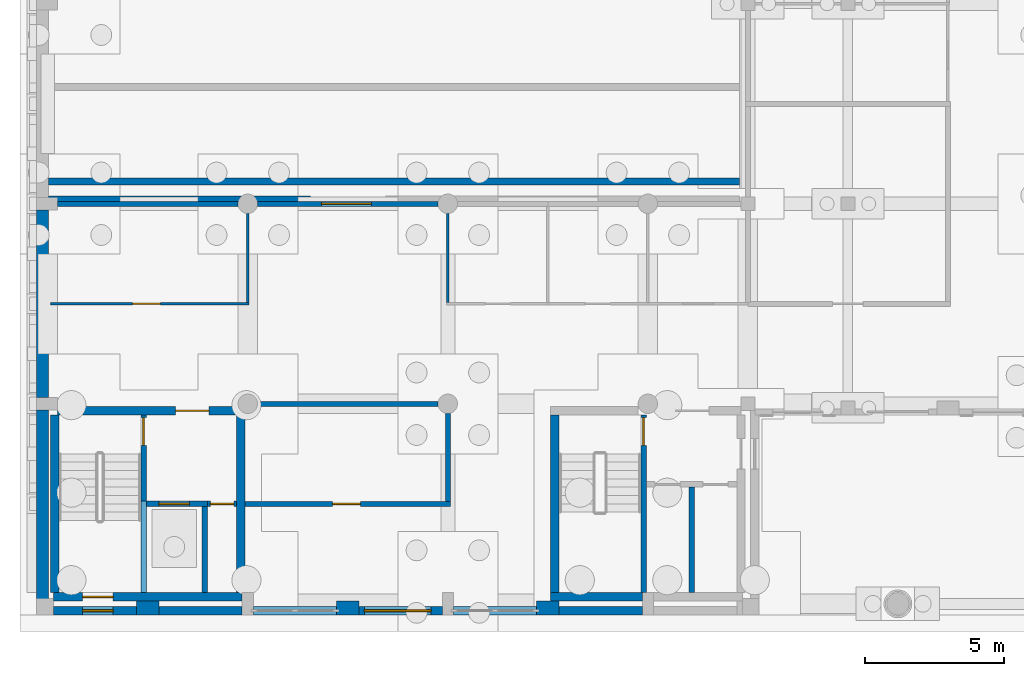
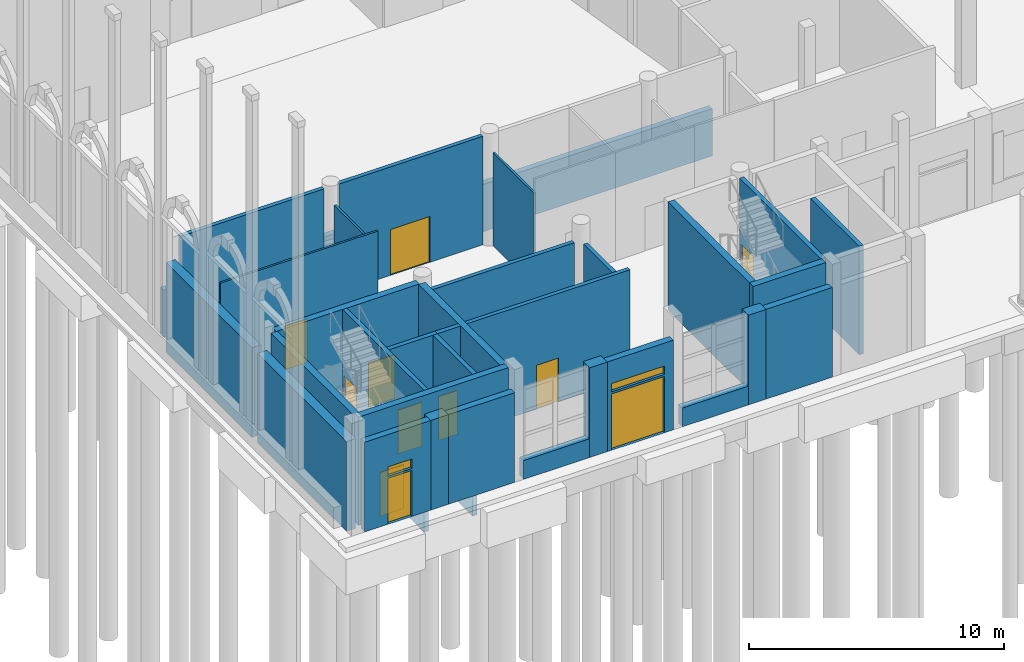
# One storey, part 40 of 80: 34 walls, 11 doors, 2 windows, 13 openings.
"""IFC4 building model written with IfcOpenShell, lengths in metres."""

import ifcopenshell
import ifcopenshell.guid

model = None  # the IFC model being written
_history = None  # IfcOwnerHistory: only IFC2X3 demands one
_inside = {}  # id of a spatial element -> (the spatial element, [elements in it])
_under = {}  # id of a project, library or spatial element -> (it, [spatial elements below it])
_declared = {}  # id of a project -> (the project, [libraries it declares])
_typed = {}  # id of a type object -> (the type object, [elements of that type])
_made_of = {}  # id of a material, layer set ... -> (it, [elements and type objects made of it])


def new_model(schema):
    """Start an empty IFC model of exactly this schema.

    Asked for "IFC4X3", IfcOpenShell would pick the latest addendum, in which some entities
    have other attributes; the version numbers below select the first issue.
    IFC2X3 requires an IfcOwnerHistory on every rooted entity: one is made here for all.
    """
    global model, _history
    if schema == "IFC4X3":
        model = ifcopenshell.file(schema_version=(4, 3, 0, 0))
    else:
        model = ifcopenshell.file(schema=schema)
    _inside.clear()
    _under.clear()
    _declared.clear()
    _typed.clear()
    _made_of.clear()
    _history = None
    if model.schema == "IFC2X3":
        org = make("IfcOrganization", Name="unknown")
        user = make(
            "IfcPersonAndOrganization",
            ThePerson=make("IfcPerson", FamilyName="unknown"),
            TheOrganization=org,
        )
        app = make(
            "IfcApplication",
            ApplicationDeveloper=org,
            Version="unknown",
            ApplicationFullName="unknown",
            ApplicationIdentifier="unknown",
        )
        _history = make(
            "IfcOwnerHistory",
            OwningUser=user,
            OwningApplication=app,
            ChangeAction="ADDED",
            CreationDate=0,
        )
    return model


def make(cls, **values):
    """One entity of the class cls with the attributes given. An attribute that is None is left unset."""
    return model.create_entity(
        cls, **{name: value for name, value in values.items() if value is not None}
    )


def rooted(cls, **values):
    """An entity with a GlobalId (a new one), such as an element, a storey or a relation."""
    return make(cls, GlobalId=ifcopenshell.guid.new(), OwnerHistory=_history, **values)


def si_unit(unit_type, name, prefix=None):
    """IfcSIUnit, for example si_unit("LENGTHUNIT", "METRE", prefix="MILLI")."""
    return make("IfcSIUnit", UnitType=unit_type, Prefix=prefix, Name=name)


def assignment(units):
    """IfcUnitAssignment: the units of a project."""
    return None if units is None else make("IfcUnitAssignment", Units=units)


def point(xyz):
    """IfcCartesianPoint."""
    return None if xyz is None else make("IfcCartesianPoint", Coordinates=xyz)


def direction(xyz):
    """IfcDirection."""
    return None if xyz is None else make("IfcDirection", DirectionRatios=xyz)


def frame(location, z_axis=None, x_axis=None):
    """IfcAxis2Placement3D, a coordinate frame: its origin and axes. An axis left out is left unset."""
    return make(
        "IfcAxis2Placement3D",
        Location=point(location),
        Axis=direction(z_axis),
        RefDirection=direction(x_axis),
    )


def frame_2d(location, x_axis=None):
    """IfcAxis2Placement2D, a coordinate frame in the plane: its origin and x axis."""
    return make(
        "IfcAxis2Placement2D", Location=point(location), RefDirection=direction(x_axis)
    )


def origin():
    """The frame at (0, 0, 0) with its axes left unset."""
    return frame((0.0, 0.0, 0.0))


def place(relative_to, where):
    """IfcLocalPlacement: puts the frame where relative to a parent placement (None: the world)."""
    return make(
        "IfcLocalPlacement", PlacementRelTo=relative_to, RelativePlacement=where
    )


def context(
    kind, dimensions, precision=None, world=None, true_north=None, identifier=None
):
    """IfcGeometricRepresentationContext, for example the 3D "Model" context."""
    return make(
        "IfcGeometricRepresentationContext",
        ContextIdentifier=identifier,
        ContextType=kind,
        CoordinateSpaceDimension=dimensions,
        Precision=precision,
        WorldCoordinateSystem=world,
        TrueNorth=true_north,
    )


def subcontext(parent, identifier, kind, view, scale=None):
    """IfcGeometricRepresentationSubContext, for example "Body" below "Model"."""
    return make(
        "IfcGeometricRepresentationSubContext",
        ContextIdentifier=identifier,
        ContextType=kind,
        ParentContext=parent,
        TargetScale=scale,
        TargetView=view,
    )


def project(units=None, contexts=None):
    """IfcProject with its units and contexts."""
    return rooted(
        "IfcProject",
        Name="project",
        RepresentationContexts=contexts,
        UnitsInContext=assignment(units),
    )


def spatial(cls, under=None, at=None, **own):
    """A site, building, storey or space (cls), placed at a placement, below another one or the project."""
    s = rooted(cls, ObjectPlacement=at, **own)
    if under is not None:
        _under.setdefault(under.id(), (under, []))[1].append(s)
    return s


def profile(cls, at=None, kind="AREA", **sizes):
    """A parametric profile (cls). Its sizes go by their IFC names, for example OverallWidth=200.0."""
    return make(cls, ProfileType=kind, Position=at, **sizes)


def rectangle(**sizes):
    """IfcRectangleProfileDef."""
    return profile("IfcRectangleProfileDef", **sizes)


def extrude(swept, where, along, depth):
    """IfcExtrudedAreaSolid: the profile swept, set in the frame where, extruded along a direction by depth."""
    return make(
        "IfcExtrudedAreaSolid",
        SweptArea=swept,
        Position=where,
        ExtrudedDirection=direction(along),
        Depth=depth,
    )


def shape(context_of_items, identifier, shape_type, items):
    """IfcShapeRepresentation: the items that make up one representation, for example the "Body"."""
    return make(
        "IfcShapeRepresentation",
        ContextOfItems=context_of_items,
        RepresentationIdentifier=identifier,
        RepresentationType=shape_type,
        Items=items,
    )


def material(Name=None, Category=None):
    """IfcMaterial."""
    return make("IfcMaterial", Name=Name, Category=Category)


def layer(
    of_material, thickness, ventilated=None, Name=None, Category=None, Priority=None
):
    """IfcMaterialLayer: one layer of a wall or slab, of a material (None: an air gap)."""
    return make(
        "IfcMaterialLayer",
        Material=of_material,
        LayerThickness=thickness,
        IsVentilated=ventilated,
        Name=Name,
        Category=Category,
        Priority=Priority,
    )


def layer_set(layers, Name=None):
    """IfcMaterialLayerSet."""
    return make("IfcMaterialLayerSet", MaterialLayers=layers, LayerSetName=Name)


def made_of(thing, what):
    """Note that an element or type object is made of a material, layer set ...; save() writes the relation."""
    if what is not None:
        _made_of.setdefault(what.id(), (what, []))[1].append(thing)
    return thing


def type_object(cls, material=None, **own):
    """A type object (cls), such as IfcWallType, which elements share."""
    return made_of(rooted(cls, **own), material)


def element(
    cls,
    number,
    at=None,
    inside=None,
    cuts=None,
    type_object=None,
    material=None,
    context=None,
    identifier="Body",
    shape_type=None,
    held_by="IfcProductDefinitionShape",
    body=None,
    shapes=None,
    **own,
):
    """One element of the class cls, such as IfcWall. Its Tag is "e" and its number.

    at: its placement. inside: the storey or other place that contains it. cuts: it is an
    opening in that element (IfcRelVoidsElement). A single representation is given by context,
    identifier, shape_type and body (its items); several are given by shapes. held_by: the class
    of the entity that holds the representations. save() writes the other relations.
    """
    e = rooted(cls, Tag="e%d" % number, ObjectPlacement=at, **own)
    if body is not None:
        shapes = [shape(context, identifier, shape_type, body)]
    if shapes is not None:
        e.Representation = make(held_by, Representations=shapes)
    if inside is not None:
        _inside.setdefault(inside.id(), (inside, []))[1].append(e)
    if cuts is not None:
        rooted(
            "IfcRelVoidsElement", RelatingBuildingElement=cuts, RelatedOpeningElement=e
        )
    if type_object is not None:
        _typed.setdefault(type_object.id(), (type_object, []))[1].append(e)
    return made_of(e, material)


def fill(opening, filler):
    """IfcRelFillsElement: the door or window that sits in an opening."""
    return rooted(
        "IfcRelFillsElement",
        RelatingOpeningElement=opening,
        RelatedBuildingElement=filler,
    )


def aggregate(whole, parts):
    """IfcRelAggregates: a whole, such as a stair, and the parts it consists of."""
    return rooted("IfcRelAggregates", RelatingObject=whole, RelatedObjects=parts)


def save(model, path):
    """Write the relations noted so far, then the file.

    IfcRelAggregates (storeys below a building ...), IfcRelContainedInSpatialStructure (elements
    in a storey), IfcRelDefinesByType, IfcRelAssociatesMaterial and IfcRelDeclares: one each for
    every whole, place, type object, material and project.
    """
    for whole, parts in _under.values():
        aggregate(whole, parts)
    for where, things in _inside.values():
        rooted(
            "IfcRelContainedInSpatialStructure",
            RelatedElements=things,
            RelatingStructure=where,
        )
    for kind, things in _typed.values():
        rooted("IfcRelDefinesByType", RelatedObjects=things, RelatingType=kind)
    for what, things in _made_of.values():
        rooted("IfcRelAssociatesMaterial", RelatedObjects=things, RelatingMaterial=what)
    for by, libraries in _declared.values():
        rooted("IfcRelDeclares", RelatingContext=by, RelatedDefinitions=libraries)
    model.write(path)


model = new_model("IFC4")

# Units and contexts
model_context = context("Model", 3, precision=1e-05, world=origin(), true_north=direction((0.0, 1.0)))
body_context = subcontext(model_context, "Body", "Model", "MODEL_VIEW")
ifc_project = project(units=[si_unit("LENGTHUNIT", "METRE"), si_unit("AREAUNIT", "SQUARE_METRE"), si_unit("VOLUMEUNIT", "CUBIC_METRE"), si_unit("PLANEANGLEUNIT", "RADIAN"), si_unit("MASSUNIT", "GRAM", prefix="KILO")], contexts=[model_context])

# Site, building, storey
site_placement = place(None, origin())
site = spatial("IfcSite", under=ifc_project, at=site_placement, CompositionType="ELEMENT")
building_placement = place(site_placement, origin())
building = spatial("IfcBuilding", under=site, at=building_placement, Name="Ussher Court Research Institute", CompositionType="ELEMENT")
storey_placement = place(building_placement, origin())
storey = spatial("IfcBuildingStorey", under=building, at=storey_placement, Name="L00", CompositionType="ELEMENT", Elevation=0.0)

# Wall, opening, door
ifc_material_1 = material(Name="Plasterboard on steel studs with mineral wool", Category="steel")
ifc_layer_1 = layer(ifc_material_1, 0.179931640625)
ifc_layer_set_1 = layer_set([ifc_layer_1], Name="Plasterboard on steel studs with mineral wool")
wall_type_1 = type_object("IfcWallType", Name="Acoustic twin-stud partition 180", PredefinedType="PARTITIONING", material=ifc_layer_set_1)
wall_1_placement = place(storey_placement, frame((10.10009765625, 7.60009765625, 0.0), z_axis=(0.0, 0.0, 1.0), x_axis=(1.0, 0.0, 0.0)))
wall_1 = element("IfcWall", 1, at=wall_1_placement, inside=storey, type_object=wall_type_1, Name="Partition", PredefinedType="PARTITIONING", context=body_context, shape_type="SweptSolid", body=[
    extrude(rectangle(XDim=7.389892578125, YDim=0.179931640625, at=frame_2d((3.69482421875, 0.0))), origin(), (0.0, 0.0, 1.0), 5.199951171875),
])
opening_1_placement = place(wall_1_placement, frame((3.14990234375, 0.0, 0.0)))
opening_1 = element("IfcOpeningElement", 2, at=opening_1_placement, cuts=wall_1, Name="Opening D00012", PredefinedType="OPENING", context=body_context, shape_type="SweptSolid", body=[
    extrude(rectangle(XDim=1.0, YDim=2.10009765625, at=frame_2d((0.5, 1.050048828125))), frame((0.0, 0.10009765625, 0.0), z_axis=(0.0, -1.0, 0.0), x_axis=(1.0, 0.0, 0.0)), (0.0, 0.0, 1.0), 0.199951171875),
])
ifc_material_2 = material(Name="Veneered timber door", Category="wood")
door_type_1 = type_object("IfcDoorType", Name="Control room door 1000x2100", OperationType="NOTDEFINED", PredefinedType="DOOR", material=ifc_material_2)
door_1_placement = place(opening_1_placement, origin())
door_1 = element("IfcDoor", 3, at=door_1_placement, inside=storey, type_object=door_type_1, Name="Door D00012", OperationType="SINGLE_SWING_LEFT", OverallHeight=2.10009765625, OverallWidth=1.0, PredefinedType="DOOR", context=body_context, shape_type="SweptSolid", body=[
    extrude(rectangle(XDim=1.0, YDim=2.10009765625, at=frame_2d((0.5, 1.050048828125))), frame((0.0, 0.02490234375, 0.0), z_axis=(0.0, -1.0, 0.0), x_axis=(1.0, 0.0, 0.0)), (0.0, 0.0, 1.0), 0.050048828125),
])
fill(opening_1, door_1)

# Walls
wall_2_placement = place(storey_placement, frame((10.550048828125, 11.199951171875, 0.0), z_axis=(0.0, 0.0, 1.0), x_axis=(1.0, 0.0, 0.0)))
element("IfcWall", 4, at=wall_2_placement, inside=storey, type_object=wall_type_1, Name="Partition", PredefinedType="PARTITIONING", context=body_context, shape_type="SweptSolid", body=[
    extrude(rectangle(XDim=6.5, YDim=0.179931640625, at=frame_2d((3.25, 0.0))), origin(), (0.0, 0.0, 1.0), 4.469970703125),
])
wall_3_placement = place(storey_placement, frame((3.35009765625, 18.39990234375, 0.0), z_axis=(0.0, 0.0, 1.0), x_axis=(1.0, 0.0, 0.0)))
element("IfcWall", 5, at=wall_3_placement, inside=storey, type_object=wall_type_1, Name="Partition", PredefinedType="PARTITIONING", context=body_context, shape_type="SweptSolid", body=[
    extrude(rectangle(XDim=6.5, YDim=0.179931640625, at=frame_2d((3.25, 0.0))), origin(), (0.0, 0.0, 1.0), 5.199951171875),
])

# Wall, opening, door
wall_4_placement = place(storey_placement, frame((17.050048828125, 18.39990234375, 0.0), z_axis=(0.0, 0.0, 1.0), x_axis=(-1.0, 0.0, 0.0)))
wall_4 = element("IfcWall", 6, at=wall_4_placement, inside=storey, type_object=wall_type_1, Name="Partition", PredefinedType="PARTITIONING", context=body_context, shape_type="SweptSolid", body=[
    extrude(rectangle(XDim=6.5, YDim=0.179931640625, at=frame_2d((3.25, 0.0))), origin(), (0.0, 0.0, 1.0), 5.199951171875),
])
opening_2_placement = place(wall_4_placement, frame((2.39990234375, 0.0, 0.0)))
opening_2 = element("IfcOpeningElement", 7, at=opening_2_placement, cuts=wall_4, Name="Opening D00013", PredefinedType="OPENING", context=body_context, shape_type="SweptSolid", body=[
    extrude(rectangle(XDim=1.800048828125, YDim=2.199951171875, at=frame_2d((0.89990234375, 1.10009765625))), frame((0.0, 0.10009765625, 0.0), z_axis=(0.0, -1.0, 0.0), x_axis=(1.0, 0.0, 0.0)), (0.0, 0.0, 1.0), 0.199951171875),
])
ifc_material_3 = material(Name="Veneered timber door", Category="wood")
door_type_2 = type_object("IfcDoorType", Name="Lecture theatre door 1800x2200 double leaf", OperationType="DOUBLE_DOOR_SINGLE_SWING", PredefinedType="DOOR", material=ifc_material_3)
door_2_placement = place(opening_2_placement, origin())
door_2 = element("IfcDoor", 8, at=door_2_placement, inside=storey, type_object=door_type_2, Name="Door D00013", OperationType="SINGLE_SWING_LEFT", OverallHeight=2.199951171875, OverallWidth=1.800048828125, PredefinedType="DOOR", context=body_context, shape_type="SweptSolid", body=[
    extrude(rectangle(XDim=1.800048828125, YDim=2.199951171875, at=frame_2d((0.89990234375, 1.10009765625))), frame((0.0, 0.02490234375, 0.0), z_axis=(0.0, -1.0, 0.0), x_axis=(1.0, 0.0, 0.0)), (0.0, 0.0, 1.0), 0.050048828125),
])
fill(opening_2, door_2)

# Walls
wall_5_placement = place(storey_placement, frame((17.39990234375, 7.68994140625, 0.0), z_axis=(0.0, 0.0, 1.0), x_axis=(0.0, 1.0, 0.0)))
element("IfcWall", 9, at=wall_5_placement, inside=storey, type_object=wall_type_1, Name="Partition", PredefinedType="PARTITIONING", context=body_context, shape_type="SweptSolid", body=[
    extrude(rectangle(XDim=3.16015625, YDim=0.179931640625, at=frame_2d((1.580078125, 0.0))), origin(), (0.0, 0.0, 1.0), 4.469970703125),
])
ifc_material_4 = material(Name="Concrete C35/45", Category="concrete")
ifc_layer_2 = layer(ifc_material_4, 0.419921875)
ifc_layer_set_2 = layer_set([ifc_layer_2], Name="Concrete C35/45")
wall_type_2 = type_object("IfcWallType", Name="Blind west wall 420 reinforced concrete limestone faced", PredefinedType="SOLIDWALL", material=ifc_layer_set_2)
wall_6_placement = place(storey_placement, frame((2.81005859375, 4.0, 0.0), z_axis=(0.0, 0.0, 1.0), x_axis=(0.0, 1.0, 0.0)))
element("IfcWall", 10, at=wall_6_placement, inside=storey, type_object=wall_type_2, Name="RC wall RW2 west", PredefinedType="SOLIDWALL", context=body_context, shape_type="SweptSolid", body=[
    extrude(rectangle(XDim=6.97509765625, YDim=0.419921875, at=frame_2d((3.487548828125, 0.0))), origin(), (0.0, 0.0, 1.0), 4.300048828125),
])
wall_7_placement = place(storey_placement, frame((2.81005859375, 11.425048828125, 0.0), z_axis=(0.0, 0.0, 1.0), x_axis=(0.0, 1.0, 0.0)))
element("IfcWall", 11, at=wall_7_placement, inside=storey, type_object=wall_type_2, Name="RC wall RW2 west", PredefinedType="SOLIDWALL", context=body_context, shape_type="SweptSolid", body=[
    extrude(rectangle(XDim=6.75, YDim=0.419921875, at=frame_2d((3.375, 0.0))), origin(), (0.0, 0.0, 1.0), 4.300048828125),
])
ifc_material_5 = material(Name="Limestone facing on blockwork", Category="masonry")
ifc_layer_3 = layer(ifc_material_5, 0.300048828125)
ifc_layer_set_3 = layer_set([ifc_layer_3], Name="Limestone facing on blockwork")
wall_type_3 = type_object("IfcWallType", Name="External wall 300 limestone faced", PredefinedType="SOLIDWALL", material=ifc_layer_set_3)
wall_8_placement = place(storey_placement, frame((20.60009765625, 3.75, 0.0), z_axis=(0.0, 0.0, 1.0), x_axis=(-1.0, 0.0, 0.0)))
element("IfcWall", 12, at=wall_8_placement, inside=storey, type_object=wall_type_3, Name="Plinth wall EW2 L00", PredefinedType="SOLIDWALL", context=body_context, shape_type="SweptSolid", body=[
    extrude(rectangle(XDim=3.0, YDim=0.300048828125, at=frame_2d((1.5, 0.0))), origin(), (0.0, 0.0, 1.0), 0.89990234375),
])

# Wall, openings, door, window
wall_9_placement = place(storey_placement, frame((17.199951171875, 3.75, 0.0), z_axis=(0.0, 0.0, 1.0), x_axis=(-1.0, 0.0, 0.0)))
wall_9 = element("IfcWall", 13, at=wall_9_placement, inside=storey, type_object=wall_type_3, Name="External wall EW2 L00", PredefinedType="SOLIDWALL", context=body_context, shape_type="SweptSolid", body=[
    extrude(rectangle(XDim=3.0, YDim=0.300048828125, at=frame_2d((1.5, 0.0))), origin(), (0.0, 0.0, 1.0), 4.300048828125),
])
opening_3_placement = place(wall_9_placement, frame((0.39990234375, 0.0, 0.0)))
opening_3 = element("IfcOpeningElement", 14, at=opening_3_placement, cuts=wall_9, Name="Opening DX05", PredefinedType="OPENING", context=body_context, shape_type="SweptSolid", body=[
    extrude(rectangle(XDim=2.39990234375, YDim=2.699951171875, at=frame_2d((1.199951171875, 1.35009765625))), frame((0.0, 0.16015625, 0.0), z_axis=(0.0, -1.0, 0.0), x_axis=(1.0, 0.0, 0.0)), (0.0, 0.0, 1.0), 0.320068359375),
])
opening_4_placement = place(wall_9_placement, frame((0.39990234375, 0.0, 2.800048828125)))
opening_4 = element("IfcOpeningElement", 15, at=opening_4_placement, cuts=wall_9, Name="Opening W23", PredefinedType="OPENING", context=body_context, shape_type="SweptSolid", body=[
    extrude(rectangle(XDim=2.39990234375, YDim=0.39990234375, at=frame_2d((1.199951171875, 0.199951171875))), frame((0.0, 0.16015625, 0.0), z_axis=(0.0, -1.0, 0.0), x_axis=(1.0, 0.0, 0.0)), (0.0, 0.0, 1.0), 0.320068359375),
])
ifc_material_6 = material(Name="Bronze anodised aluminium with toughened glass", Category="aluminium")
door_type_3 = type_object("IfcDoorType", Name="Lecture theatre entrance double door 2400x2700", OperationType="DOUBLE_DOOR_SINGLE_SWING", PredefinedType="DOOR", material=ifc_material_6)
door_3_placement = place(opening_3_placement, origin())
door_3 = element("IfcDoor", 16, at=door_3_placement, inside=storey, type_object=door_type_3, Name="Door DX05", OperationType="SINGLE_SWING_LEFT", OverallHeight=2.699951171875, OverallWidth=2.39990234375, PredefinedType="DOOR", context=body_context, shape_type="SweptSolid", body=[
    extrude(rectangle(XDim=2.39990234375, YDim=2.699951171875, at=frame_2d((1.199951171875, 1.35009765625))), frame((0.0, 0.02490234375, 0.0), z_axis=(0.0, -1.0, 0.0), x_axis=(1.0, 0.0, 0.0)), (0.0, 0.0, 1.0), 0.050048828125),
])
fill(opening_3, door_3)
ifc_material_7 = material(Name="Bronze anodised aluminium with double glazing", Category="aluminium")
window_type_1 = type_object("IfcWindowType", Name="Lecture theatre entrance transom light 2400x400", PartitioningType="SINGLE_PANEL", PredefinedType="WINDOW", material=ifc_material_7)
window_1_placement = place(opening_4_placement, origin())
window_1 = element("IfcWindow", 17, at=window_1_placement, inside=storey, type_object=window_type_1, Name="Window W23 L00", OverallHeight=0.39990234375, OverallWidth=2.39990234375, PartitioningType="SINGLE_PANEL", PredefinedType="WINDOW", context=body_context, shape_type="SweptSolid", body=[
    extrude(rectangle(XDim=2.39990234375, YDim=0.39990234375, at=frame_2d((1.199951171875, 0.199951171875))), frame((0.0, 0.030029296875, 0.0), z_axis=(0.0, -1.0, 0.0), x_axis=(1.0, 0.0, 0.0)), (0.0, 0.0, 1.0), 0.06005859375),
])
fill(opening_4, window_1)

# Walls
wall_10_placement = place(storey_placement, frame((13.39990234375, 3.75, 0.0), z_axis=(0.0, 0.0, 1.0), x_axis=(-1.0, 0.0, 0.0)))
element("IfcWall", 18, at=wall_10_placement, inside=storey, type_object=wall_type_3, Name="Plinth wall EW2 L00", PredefinedType="SOLIDWALL", context=body_context, shape_type="SweptSolid", body=[
    extrude(rectangle(XDim=3.0, YDim=0.300048828125, at=frame_2d((1.5, 0.0))), origin(), (0.0, 0.0, 1.0), 0.89990234375),
])
ifc_material_8 = material(Name="Limestone facing on blockwork", Category="masonry")
ifc_layer_4 = layer(ifc_material_8, 0.300048828125)
ifc_layer_set_4 = layer_set([ifc_layer_4], Name="Limestone facing on blockwork")
wall_type_4 = type_object("IfcWallType", Name="External wall 300 stair enclosure", PredefinedType="SOLIDWALL", material=ifc_layer_set_4)
for number, where, z_axis, x_axis, name in (
    (19, (24.39990234375, 3.75, 0.0), (0.0, 0.0, 1.0), (-1.0, 0.0, 0.0), "External wall EW5 L00"),
    (20, (10.0, 3.75, 0.0), (0.0, 0.0, 1.0), (-1.0, 0.0, 0.0), "External wall EW5 L00"),
):
    element("IfcWall", number, at=place(storey_placement, frame(where, z_axis=z_axis, x_axis=x_axis)), inside=storey, type_object=wall_type_4, Name=name, PredefinedType="SOLIDWALL", context=body_context, shape_type="SweptSolid", body=[
        extrude(rectangle(XDim=3.0, YDim=0.300048828125, at=frame_2d((1.5, 0.0))), origin(), (0.0, 0.0, 1.0), 4.300048828125),
    ])

# Wall, openings, door, window
wall_11_placement = place(storey_placement, frame((6.199951171875, 3.75, 0.0), z_axis=(0.0, 0.0, 1.0), x_axis=(-1.0, 0.0, 0.0)))
wall_11 = element("IfcWall", 21, at=wall_11_placement, inside=storey, type_object=wall_type_4, Name="External wall EW5 L00", PredefinedType="SOLIDWALL", context=body_context, shape_type="SweptSolid", body=[
    extrude(rectangle(XDim=3.0, YDim=0.300048828125, at=frame_2d((1.5, 0.0))), origin(), (0.0, 0.0, 1.0), 4.300048828125),
])
opening_5_placement = place(wall_11_placement, frame((0.85009765625, 0.0, 0.0)))
opening_5 = element("IfcOpeningElement", 22, at=opening_5_placement, cuts=wall_11, Name="Opening DX04", PredefinedType="OPENING", context=body_context, shape_type="SweptSolid", body=[
    extrude(rectangle(XDim=1.10009765625, YDim=2.199951171875, at=frame_2d((0.550048828125, 1.10009765625))), frame((0.0, 0.16015625, 0.0), z_axis=(0.0, -1.0, 0.0), x_axis=(1.0, 0.0, 0.0)), (0.0, 0.0, 1.0), 0.320068359375),
])
opening_6_placement = place(wall_11_placement, frame((0.85009765625, 0.0, 2.300048828125)))
opening_6 = element("IfcOpeningElement", 23, at=opening_6_placement, cuts=wall_11, Name="Opening W18", PredefinedType="OPENING", context=body_context, shape_type="SweptSolid", body=[
    extrude(rectangle(XDim=1.10009765625, YDim=0.449951171875, at=frame_2d((0.550048828125, 0.22509765625))), frame((0.0, 0.16015625, 0.0), z_axis=(0.0, -1.0, 0.0), x_axis=(1.0, 0.0, 0.0)), (0.0, 0.0, 1.0), 0.320068359375),
])
ifc_material_9 = material(Name="Painted steel", Category="steel")
door_type_4 = type_object("IfcDoorType", Name="Stair discharge door 1100x2200", OperationType="SINGLE_SWING_LEFT", PredefinedType="DOOR", material=ifc_material_9)
door_4_placement = place(opening_5_placement, origin())
door_4 = element("IfcDoor", 24, at=door_4_placement, inside=storey, type_object=door_type_4, Name="Door DX04", OperationType="SINGLE_SWING_LEFT", OverallHeight=2.199951171875, OverallWidth=1.10009765625, PredefinedType="DOOR", context=body_context, shape_type="SweptSolid", body=[
    extrude(rectangle(XDim=1.10009765625, YDim=2.199951171875, at=frame_2d((0.550048828125, 1.10009765625))), frame((0.0, 0.02490234375, 0.0), z_axis=(0.0, -1.0, 0.0), x_axis=(1.0, 0.0, 0.0)), (0.0, 0.0, 1.0), 0.050048828125),
])
fill(opening_5, door_4)
ifc_material_10 = material(Name="Bronze anodised aluminium with double glazing", Category="aluminium")
window_type_2 = type_object("IfcWindowType", Name="Stair discharge transom light 1100x450", PartitioningType="SINGLE_PANEL", PredefinedType="WINDOW", material=ifc_material_10)
window_2_placement = place(opening_6_placement, origin())
window_2 = element("IfcWindow", 25, at=window_2_placement, inside=storey, type_object=window_type_2, Name="Window W18 L00", OverallHeight=0.449951171875, OverallWidth=1.10009765625, PartitioningType="SINGLE_PANEL", PredefinedType="WINDOW", context=body_context, shape_type="SweptSolid", body=[
    extrude(rectangle(XDim=1.10009765625, YDim=0.449951171875, at=frame_2d((0.550048828125, 0.22509765625))), frame((0.0, 0.030029296875, 0.0), z_axis=(0.0, -1.0, 0.0), x_axis=(1.0, 0.0, 0.0)), (0.0, 0.0, 1.0), 0.06005859375),
])
fill(opening_6, window_2)

# Walls
ifc_material_11 = material(Name="Rusticated limestone facing on blockwork", Category="masonry")
ifc_layer_5 = layer(ifc_material_11, 0.5)
ifc_layer_set_5 = layer_set([ifc_layer_5], Name="Rusticated limestone facing on blockwork")
wall_type_5 = type_object("IfcWallType", Name="Pier 800x500 rusticated limestone", PredefinedType="SOLIDWALL", material=ifc_layer_set_5)
wall_12_placement = place(storey_placement, frame((21.39990234375, 3.85009765625, 0.0), z_axis=(0.0, 0.0, 1.0), x_axis=(-1.0, 0.0, 0.0)))
element("IfcWall", 26, at=wall_12_placement, inside=storey, type_object=wall_type_5, Name="Pier PR2 L00", PredefinedType="SOLIDWALL", context=body_context, shape_type="SweptSolid", body=[
    extrude(rectangle(XDim=0.7998046875, YDim=0.5, at=frame_2d((0.39990234375, 0.0))), origin(), (0.0, 0.0, 1.0), 4.300048828125),
])
for number, where, z_axis, x_axis, name in (
    (27, (14.199951171875, 3.85009765625, 0.0), (0.0, 0.0, 1.0), (-1.0, 0.0, 0.0), "Pier PR2 L00"),
    (28, (7.0, 3.85009765625, 0.0), (0.0, 0.0, 1.0), (-1.0, 0.0, 0.0), "Pier PR2 L00"),
):
    element("IfcWall", number, at=place(storey_placement, frame(where, z_axis=z_axis, x_axis=x_axis)), inside=storey, type_object=wall_type_5, Name=name, PredefinedType="SOLIDWALL", context=body_context, shape_type="SweptSolid", body=[
        extrude(rectangle(XDim=0.800048828125, YDim=0.5, at=frame_2d((0.39990234375, 0.0))), origin(), (0.0, 0.0, 1.0), 4.300048828125),
    ])

# Wall, opening, door
ifc_material_12 = material(Name="Concrete C35/45", Category="concrete")
ifc_layer_6 = layer(ifc_material_12, 0.199951171875)
ifc_layer_set_6 = layer_set([ifc_layer_6], Name="Concrete C35/45")
wall_type_6 = type_object("IfcWallType", Name="RC core wall 200", PredefinedType="SHEAR", material=ifc_layer_set_6)
wall_13_placement = place(storey_placement, frame((6.449951171875, 10.800048828125, 0.0), z_axis=(0.0, 0.0, 1.0), x_axis=(0.0, -1.0, 0.0)))
wall_13 = element("IfcWall", 29, at=wall_13_placement, inside=storey, type_object=wall_type_6, Name="Core wall H1", PredefinedType="SHEAR", context=body_context, shape_type="SweptSolid", body=[
    extrude(rectangle(XDim=6.400146484375, YDim=0.199951171875, at=frame_2d((3.2001953125, 0.0))), origin(), (0.0, 0.0, 1.0), 5.199951171875),
])
opening_7_placement = place(wall_13_placement, frame((0.10009765625, 0.0, 0.0)))
opening_7 = element("IfcOpeningElement", 30, at=opening_7_placement, cuts=wall_13, Name="Opening D00003", PredefinedType="OPENING", context=body_context, shape_type="SweptSolid", body=[
    extrude(rectangle(XDim=1.0, YDim=2.10009765625, at=frame_2d((0.5, 1.050048828125))), frame((0.0, 0.10986328125, 0.0), z_axis=(0.0, -1.0, 0.0), x_axis=(1.0, 0.0, 0.0)), (0.0, 0.0, 1.0), 0.219970703125),
])
ifc_material_13 = material(Name="Painted steel faced fire door", Category="steel")
door_type_5 = type_object("IfcDoorType", Name="Fire door 1000x2100 FD60", OperationType="NOTDEFINED", PredefinedType="DOOR", material=ifc_material_13)
door_5_placement = place(opening_7_placement, origin())
door_5 = element("IfcDoor", 31, at=door_5_placement, inside=storey, type_object=door_type_5, Name="Door D00003", OperationType="SINGLE_SWING_LEFT", OverallHeight=2.10009765625, OverallWidth=1.0, PredefinedType="DOOR", context=body_context, shape_type="SweptSolid", body=[
    extrude(rectangle(XDim=1.0, YDim=2.10009765625, at=frame_2d((0.5, 1.050048828125))), frame((0.0, 0.02490234375, 0.0), z_axis=(0.0, -1.0, 0.0), x_axis=(1.0, 0.0, 0.0)), (0.0, 0.0, 1.0), 0.050048828125),
])
fill(opening_7, door_5)

# Wall
wall_14_placement = place(storey_placement, frame((6.449951171875, 4.39990234375, -1.60009765625), z_axis=(0.0, 0.0, 1.0), x_axis=(0.0, 1.0, 0.0)))
element("IfcWall", 32, at=wall_14_placement, inside=storey, type_object=wall_type_6, Name="Pit wall H1", PredefinedType="SHEAR", context=body_context, shape_type="SweptSolid", body=[
    extrude(rectangle(XDim=3.300048828125, YDim=0.199951171875, at=frame_2d((1.64990234375, 0.0))), origin(), (0.0, 0.0, 1.0), 1.60009765625),
])

# Wall, opening, door
wall_15_placement = place(storey_placement, frame((6.550048828125, 7.60009765625, -1.60009765625), z_axis=(0.0, 0.0, 1.0), x_axis=(1.0, 0.0, 0.0)))
wall_15 = element("IfcWall", 33, at=wall_15_placement, inside=storey, type_object=wall_type_6, Name="Core wall H1", PredefinedType="SHEAR", context=body_context, shape_type="SweptSolid", body=[
    extrude(rectangle(XDim=2.199951171875, YDim=0.199951171875, at=frame_2d((1.10009765625, 0.0))), origin(), (0.0, 0.0, 1.0), 6.800048828125),
])
opening_8_placement = place(wall_15_placement, frame((0.449951171875, 0.0, 1.60009765625)))
opening_8 = element("IfcOpeningElement", 34, at=opening_8_placement, cuts=wall_15, Name="Opening LD01", PredefinedType="OPENING", context=body_context, shape_type="SweptSolid", body=[
    extrude(rectangle(XDim=1.10009765625, YDim=2.10009765625, at=frame_2d((0.550048828125, 1.050048828125))), frame((0.0, 0.10986328125, 0.0), z_axis=(0.0, -1.0, 0.0), x_axis=(1.0, 0.0, 0.0)), (0.0, 0.0, 1.0), 0.219970703125),
])
ifc_material_14 = material(Name="Stainless steel lift door", Category="steel")
door_type_6 = type_object("IfcDoorType", Name="Lift landing door 1100x2100 sliding", OperationType="DOUBLE_DOOR_SLIDING", PredefinedType="DOOR", material=ifc_material_14)
door_6_placement = place(opening_8_placement, origin())
door_6 = element("IfcDoor", 35, at=door_6_placement, inside=storey, type_object=door_type_6, Name="Landing door H1-1 L00", OperationType="DOUBLE_DOOR_SLIDING", OverallHeight=2.10009765625, OverallWidth=1.10009765625, PredefinedType="DOOR", context=body_context, shape_type="SweptSolid", body=[
    extrude(rectangle(XDim=1.10009765625, YDim=2.10009765625, at=frame_2d((0.550048828125, 1.050048828125))), frame((0.0, 0.02490234375, 0.0), z_axis=(0.0, -1.0, 0.0), x_axis=(1.0, 0.0, 0.0)), (0.0, 0.0, 1.0), 0.050048828125),
])
fill(opening_8, door_6)

wall_16_placement = place(storey_placement, frame((8.75, 7.60009765625, 0.0), z_axis=(0.0, 0.0, 1.0), x_axis=(1.0, 0.0, 0.0)))
wall_16 = element("IfcWall", 36, at=wall_16_placement, inside=storey, type_object=wall_type_6, Name="Core wall H1", PredefinedType="SHEAR", context=body_context, shape_type="SweptSolid", body=[
    extrude(rectangle(XDim=1.050048828125, YDim=0.199951171875, at=frame_2d((0.52490234375, 0.0))), origin(), (0.0, 0.0, 1.0), 5.199951171875),
])
opening_9_placement = place(wall_16_placement, frame((0.10009765625, 0.0, 0.0)))
opening_9 = element("IfcOpeningElement", 37, at=opening_9_placement, cuts=wall_16, Name="Opening D00009", PredefinedType="OPENING", context=body_context, shape_type="SweptSolid", body=[
    extrude(rectangle(XDim=0.85009765625, YDim=2.10009765625, at=frame_2d((0.425048828125, 1.050048828125))), frame((0.0, 0.10986328125, 0.0), z_axis=(0.0, -1.0, 0.0), x_axis=(1.0, 0.0, 0.0)), (0.0, 0.0, 1.0), 0.219970703125),
])
ifc_material_15 = material(Name="Painted steel faced fire door", Category="steel")
door_type_7 = type_object("IfcDoorType", Name="Fire door 850x2100 FD60", OperationType="NOTDEFINED", PredefinedType="DOOR", material=ifc_material_15)
door_7_placement = place(opening_9_placement, origin())
door_7 = element("IfcDoor", 38, at=door_7_placement, inside=storey, type_object=door_type_7, Name="Door D00009", OperationType="SINGLE_SWING_LEFT", OverallHeight=2.10009765625, OverallWidth=0.85009765625, PredefinedType="DOOR", context=body_context, shape_type="SweptSolid", body=[
    extrude(rectangle(XDim=0.85009765625, YDim=2.10009765625, at=frame_2d((0.425048828125, 1.050048828125))), frame((0.0, 0.02490234375, 0.0), z_axis=(0.0, -1.0, 0.0), x_axis=(1.0, 0.0, 0.0)), (0.0, 0.0, 1.0), 0.050048828125),
])
fill(opening_9, door_7)

# Wall
wall_17_placement = place(storey_placement, frame((8.64990234375, 4.39990234375, -1.60009765625), z_axis=(0.0, 0.0, 1.0), x_axis=(0.0, 1.0, 0.0)))
element("IfcWall", 39, at=wall_17_placement, inside=storey, type_object=wall_type_6, Name="Core wall H1", PredefinedType="SHEAR", context=body_context, shape_type="SweptSolid", body=[
    extrude(rectangle(XDim=3.10009765625, YDim=0.199951171875, at=frame_2d((1.550048828125, 0.0))), origin(), (0.0, 0.0, 1.0), 6.800048828125),
])

# Wall, opening, door
wall_18_placement = place(storey_placement, frame((24.449951171875, 10.800048828125, 0.0), z_axis=(0.0, 0.0, 1.0), x_axis=(0.0, -1.0, 0.0)))
wall_18 = element("IfcWall", 40, at=wall_18_placement, inside=storey, type_object=wall_type_6, Name="Core wall H2", PredefinedType="SHEAR", context=body_context, shape_type="SweptSolid", body=[
    extrude(rectangle(XDim=6.400146484375, YDim=0.199951171875, at=frame_2d((3.2001953125, 0.0))), origin(), (0.0, 0.0, 1.0), 5.199951171875),
])
opening_10_placement = place(wall_18_placement, frame((0.10009765625, 0.0, 0.0)))
opening_10 = element("IfcOpeningElement", 41, at=opening_10_placement, cuts=wall_18, Name="Opening D00020", PredefinedType="OPENING", context=body_context, shape_type="SweptSolid", body=[
    extrude(rectangle(XDim=1.0, YDim=2.10009765625, at=frame_2d((0.5, 1.050048828125))), frame((0.0, 0.10986328125, 0.0), z_axis=(0.0, -1.0, 0.0), x_axis=(1.0, 0.0, 0.0)), (0.0, 0.0, 1.0), 0.219970703125),
])
door_8_placement = place(opening_10_placement, origin())
door_8 = element("IfcDoor", 42, at=door_8_placement, inside=storey, type_object=door_type_5, Name="Door D00020", OperationType="SINGLE_SWING_LEFT", OverallHeight=2.10009765625, OverallWidth=1.0, PredefinedType="DOOR", context=body_context, shape_type="SweptSolid", body=[
    extrude(rectangle(XDim=1.0, YDim=2.10009765625, at=frame_2d((0.5, 1.050048828125))), frame((0.0, 0.02490234375, 0.0), z_axis=(0.0, -1.0, 0.0), x_axis=(1.0, 0.0, 0.0)), (0.0, 0.0, 1.0), 0.050048828125),
])
fill(opening_10, door_8)

# Wall
wall_19_placement = place(storey_placement, frame((26.175048828125, 4.39990234375, 0.0), z_axis=(0.0, 0.0, 1.0), x_axis=(0.0, 1.0, 0.0)))
element("IfcWall", 43, at=wall_19_placement, inside=storey, type_object=wall_type_6, Name="Core wall H2", PredefinedType="SHEAR", context=body_context, shape_type="SweptSolid", body=[
    extrude(rectangle(XDim=3.800048828125, YDim=0.199951171875, at=frame_2d((1.89990234375, 0.0))), origin(), (0.0, 0.0, 1.0), 5.199951171875),
])

# Wall, opening, door
ifc_material_16 = material(Name="Concrete C35/45", Category="concrete")
ifc_layer_7 = layer(ifc_material_16, 0.300048828125)
ifc_layer_set_7 = layer_set([ifc_layer_7], Name="Concrete C35/45")
wall_type_7 = type_object("IfcWallType", Name="RC core wall 300", PredefinedType="SHEAR", material=ifc_layer_set_7)
wall_20_placement = place(storey_placement, frame((9.85009765625, 10.949951171875, 0.0), z_axis=(0.0, 0.0, 1.0), x_axis=(-1.0, 0.0, 0.0)))
wall_20 = element("IfcWall", 44, at=wall_20_placement, inside=storey, type_object=wall_type_7, Name="Core wall H1", PredefinedType="SHEAR", context=body_context, shape_type="SweptSolid", body=[
    extrude(rectangle(XDim=6.5, YDim=0.300048828125, at=frame_2d((3.25, 0.0))), origin(), (0.0, 0.0, 1.0), 5.199951171875),
])
opening_11_placement = place(wall_20_placement, frame((1.050048828125, 0.0, 0.0)))
opening_11 = element("IfcOpeningElement", 45, at=opening_11_placement, cuts=wall_20, Name="Opening D00007", PredefinedType="OPENING", context=body_context, shape_type="SweptSolid", body=[
    extrude(rectangle(XDim=1.199951171875, YDim=2.10009765625, at=frame_2d((0.60009765625, 1.050048828125))), frame((0.0, 0.16015625, 0.0), z_axis=(0.0, -1.0, 0.0), x_axis=(1.0, 0.0, 0.0)), (0.0, 0.0, 1.0), 0.320068359375),
])
ifc_material_17 = material(Name="Painted steel faced fire door", Category="steel")
door_type_8 = type_object("IfcDoorType", Name="Fire door 1200x2100 FD60", OperationType="NOTDEFINED", PredefinedType="DOOR", material=ifc_material_17)
door_9_placement = place(opening_11_placement, origin())
door_9 = element("IfcDoor", 46, at=door_9_placement, inside=storey, type_object=door_type_8, Name="Door D00007", OperationType="SINGLE_SWING_LEFT", OverallHeight=2.10009765625, OverallWidth=1.199951171875, PredefinedType="DOOR", context=body_context, shape_type="SweptSolid", body=[
    extrude(rectangle(XDim=1.199951171875, YDim=2.10009765625, at=frame_2d((0.60009765625, 1.050048828125))), frame((0.0, 0.02490234375, 0.0), z_axis=(0.0, -1.0, 0.0), x_axis=(1.0, 0.0, 0.0)), (0.0, 0.0, 1.0), 0.050048828125),
])
fill(opening_11, door_9)

wall_21_placement = place(storey_placement, frame((3.199951171875, 4.25, 0.0), z_axis=(0.0, 0.0, 1.0), x_axis=(1.0, 0.0, 0.0)))
wall_21 = element("IfcWall", 47, at=wall_21_placement, inside=storey, type_object=wall_type_7, Name="Core wall H1", PredefinedType="SHEAR", context=body_context, shape_type="SweptSolid", body=[
    extrude(rectangle(XDim=6.800048828125, YDim=0.300048828125, at=frame_2d((3.39990234375, 0.0))), origin(), (0.0, 0.0, 1.0), 5.199951171875),
])
opening_12_placement = place(wall_21_placement, frame((1.050048828125, 0.0, 0.0)))
opening_12 = element("IfcOpeningElement", 48, at=opening_12_placement, cuts=wall_21, Name="Opening D00001", PredefinedType="OPENING", context=body_context, shape_type="SweptSolid", body=[
    extrude(rectangle(XDim=1.10009765625, YDim=2.10009765625, at=frame_2d((0.550048828125, 1.050048828125))), frame((0.0, 0.16015625, 0.0), z_axis=(0.0, -1.0, 0.0), x_axis=(1.0, 0.0, 0.0)), (0.0, 0.0, 1.0), 0.320068359375),
])
ifc_material_18 = material(Name="Painted steel faced fire door", Category="steel")
door_type_9 = type_object("IfcDoorType", Name="Fire door 1100x2100 FD60", OperationType="NOTDEFINED", PredefinedType="DOOR", material=ifc_material_18)
door_10_placement = place(opening_12_placement, origin())
door_10 = element("IfcDoor", 49, at=door_10_placement, inside=storey, type_object=door_type_9, Name="Door D00001", OperationType="SINGLE_SWING_LEFT", OverallHeight=2.10009765625, OverallWidth=1.10009765625, PredefinedType="DOOR", context=body_context, shape_type="SweptSolid", body=[
    extrude(rectangle(XDim=1.10009765625, YDim=2.10009765625, at=frame_2d((0.550048828125, 1.050048828125))), frame((0.0, 0.02490234375, 0.0), z_axis=(0.0, -1.0, 0.0), x_axis=(1.0, 0.0, 0.0)), (0.0, 0.0, 1.0), 0.050048828125),
])
fill(opening_12, door_10)

# Walls
for number, where, z_axis, x_axis, name in (
    (50, (3.25, 4.39990234375, 0.0), (0.0, 0.0, 1.0), (0.0, 1.0, 0.0), "Core wall H1"),
    (51, (9.949951171875, 4.39990234375, 0.0), (0.0, 0.0, 1.0), (0.0, 1.0, 0.0), "Core wall H1"),
):
    element("IfcWall", number, at=place(storey_placement, frame(where, z_axis=z_axis, x_axis=x_axis)), inside=storey, type_object=wall_type_7, Name=name, PredefinedType="SHEAR", context=body_context, shape_type="SweptSolid", body=[
        extrude(rectangle(XDim=6.400146484375, YDim=0.300048828125, at=frame_2d((3.2001953125, 0.0))), origin(), (0.0, 0.0, 1.0), 5.199951171875),
    ])
wall_22_placement = place(storey_placement, frame((21.10009765625, 4.25, 0.0), z_axis=(0.0, 0.0, 1.0), x_axis=(1.0, 0.0, 0.0)))
element("IfcWall", 52, at=wall_22_placement, inside=storey, type_object=wall_type_7, Name="Core wall H2", PredefinedType="SHEAR", context=body_context, shape_type="SweptSolid", body=[
    extrude(rectangle(XDim=3.2998046875, YDim=0.300048828125, at=frame_2d((1.64990234375, 0.0))), origin(), (0.0, 0.0, 1.0), 5.199951171875),
])
wall_23_placement = place(storey_placement, frame((21.25, 4.39990234375, 0.0), z_axis=(0.0, 0.0, 1.0), x_axis=(0.0, 1.0, 0.0)))
element("IfcWall", 53, at=wall_23_placement, inside=storey, type_object=wall_type_7, Name="Core wall H2", PredefinedType="SHEAR", context=body_context, shape_type="SweptSolid", body=[
    extrude(rectangle(XDim=6.400146484375, YDim=0.300048828125, at=frame_2d((3.2001953125, 0.0))), origin(), (0.0, 0.0, 1.0), 5.199951171875),
])
ifc_material_19 = material(Name="Concrete C35/45", Category="concrete")
ifc_layer_8 = layer(ifc_material_19, 0.25)
ifc_layer_set_8 = layer_set([ifc_layer_8], Name="Concrete C35/45")
wall_type_8 = type_object("IfcWallType", Name="Tier wall 250", PredefinedType="SOLIDWALL", material=ifc_layer_set_8)
wall_24_placement = place(storey_placement, frame((3.02001953125, 19.199951171875, 0.0), z_axis=(0.0, 0.0, 1.0), x_axis=(1.0, 0.0, 0.0)))
element("IfcWall", 54, at=wall_24_placement, inside=storey, type_object=wall_type_8, Name="TW250 V1 L00-04", PredefinedType="SOLIDWALL", context=body_context, shape_type="SweptSolid", body=[
    extrude(rectangle(XDim=24.8798828125, YDim=0.25, at=frame_2d((12.43994140625, 0.0))), origin(), (0.0, 0.0, 1.0), 2.270751953125),
])
wall_25_placement = place(storey_placement, frame((3.02001953125, 18.550048828125, 0.0), z_axis=(0.0, 0.0, 1.0), x_axis=(1.0, 0.0, 0.0)))
element("IfcWall", 55, at=wall_25_placement, inside=storey, type_object=wall_type_8, Name="TW250 V1 L00-05", PredefinedType="SOLIDWALL", context=body_context, shape_type="SweptSolid", body=[
    extrude(rectangle(XDim=9.429931640625, YDim=0.25, at=frame_2d((4.71484375, 0.0))), origin(), (0.0, 0.0, 1.0), 2.379150390625),
])

# Wall, opening, door
ifc_material_20 = material(Name="Moisture-resistant board on steel studs", Category="steel")
ifc_layer_9 = layer(ifc_material_20, 0.090087890625)
ifc_layer_set_9 = layer_set([ifc_layer_9], Name="Moisture-resistant board on steel studs")
wall_type_9 = type_object("IfcWallType", Name="WC lining partition 90", PredefinedType="PARTITIONING", material=ifc_layer_set_9)
wall_26_placement = place(storey_placement, frame((3.10009765625, 14.800048828125, 0.0), z_axis=(0.0, 0.0, 1.0), x_axis=(1.0, 0.0, 0.0)))
wall_26 = element("IfcWall", 56, at=wall_26_placement, inside=storey, type_object=wall_type_9, Name="Partition", PredefinedType="PARTITIONING", context=body_context, shape_type="SweptSolid", body=[
    extrude(rectangle(XDim=7.14501953125, YDim=0.090087890625, at=frame_2d((3.572509765625, 0.0))), origin(), (0.0, 0.0, 1.0), 5.199951171875),
])
opening_13_placement = place(wall_26_placement, frame((2.949951171875, 0.0, 0.0)))
opening_13 = element("IfcOpeningElement", 57, at=opening_13_placement, cuts=wall_26, Name="Opening D00005", PredefinedType="OPENING", context=body_context, shape_type="SweptSolid", body=[
    extrude(rectangle(XDim=1.0, YDim=2.10009765625, at=frame_2d((0.5, 1.050048828125))), frame((0.0, 0.05517578125, 0.0), z_axis=(0.0, -1.0, 0.0), x_axis=(1.0, 0.0, 0.0)), (0.0, 0.0, 1.0), 0.110107421875),
])
ifc_material_21 = material(Name="Veneered timber door", Category="wood")
door_type_10 = type_object("IfcDoorType", Name="Cloakroom door 1000x2100", OperationType="NOTDEFINED", PredefinedType="DOOR", material=ifc_material_21)
door_11_placement = place(opening_13_placement, origin())
door_11 = element("IfcDoor", 58, at=door_11_placement, inside=storey, type_object=door_type_10, Name="Door D00005", OperationType="SINGLE_SWING_LEFT", OverallHeight=2.10009765625, OverallWidth=1.0, PredefinedType="DOOR", context=body_context, shape_type="SweptSolid", body=[
    extrude(rectangle(XDim=1.0, YDim=2.10009765625, at=frame_2d((0.5, 1.050048828125))), frame((0.0, 0.02490234375, 0.0), z_axis=(0.0, -1.0, 0.0), x_axis=(1.0, 0.0, 0.0)), (0.0, 0.0, 1.0), 0.050048828125),
])
fill(opening_13, door_11)

# Walls
for number, where, z_axis, x_axis, name in (
    (59, (10.199951171875, 14.844970703125, 0.0), (0.0, 0.0, 1.0), (0.0, 1.0, 0.0), "Partition"),
    (60, (17.39990234375, 14.844970703125, 0.0), (0.0, 0.0, 1.0), (0.0, 1.0, 0.0), "Partition"),
):
    element("IfcWall", number, at=place(storey_placement, frame(where, z_axis=z_axis, x_axis=x_axis)), inside=storey, type_object=wall_type_9, Name=name, PredefinedType="PARTITIONING", context=body_context, shape_type="SweptSolid", body=[
        extrude(rectangle(XDim=3.205078125, YDim=0.090087890625, at=frame_2d((1.6025390625, 0.0))), origin(), (0.0, 0.0, 1.0), 4.469970703125),
    ])

save(model, "model.ifc")
